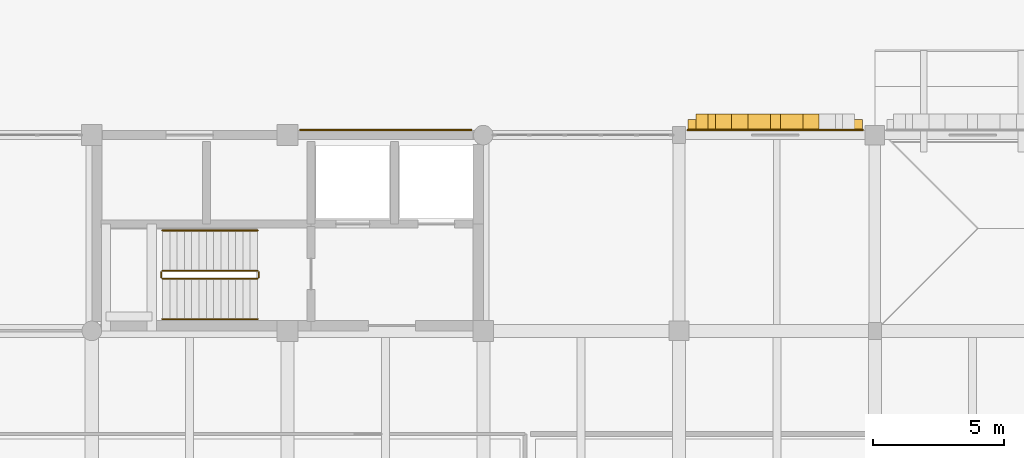
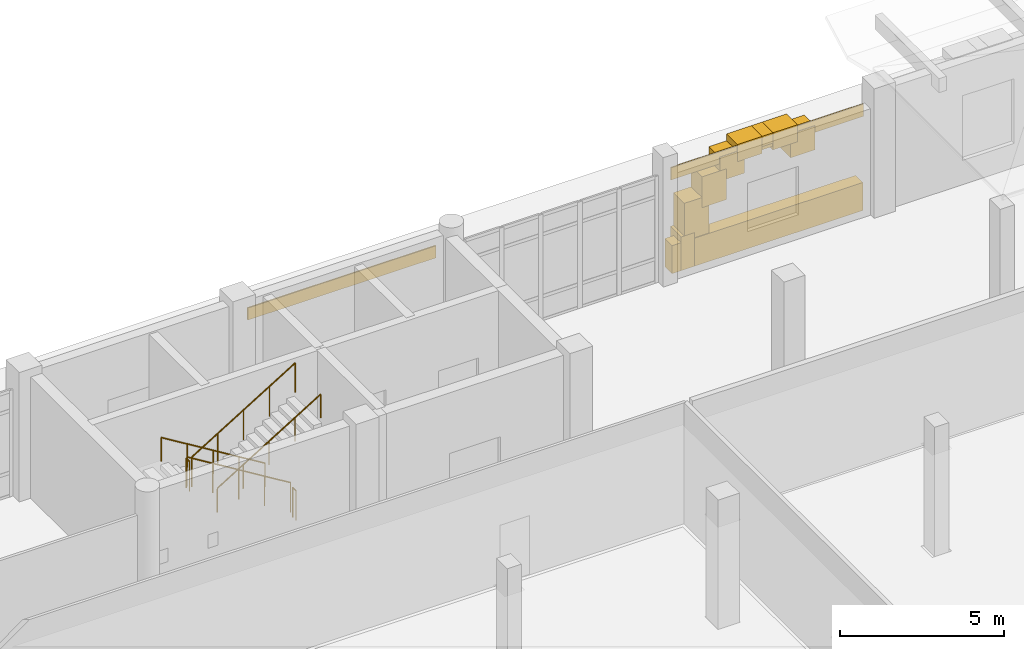
# One storey, part 117 of 125: 11 coverings, 6 railings.
"""IFC4 building model written with IfcOpenShell, lengths in metres."""

import ifcopenshell
import ifcopenshell.guid

model = None  # the IFC model being written
_history = None  # IfcOwnerHistory: only IFC2X3 demands one
_inside = {}  # id of a spatial element -> (the spatial element, [elements in it])
_under = {}  # id of a project, library or spatial element -> (it, [spatial elements below it])
_declared = {}  # id of a project -> (the project, [libraries it declares])
_typed = {}  # id of a type object -> (the type object, [elements of that type])
_made_of = {}  # id of a material, layer set ... -> (it, [elements and type objects made of it])


def new_model(schema):
    """Start an empty IFC model of exactly this schema.

    Asked for "IFC4X3", IfcOpenShell would pick the latest addendum, in which some entities
    have other attributes; the version numbers below select the first issue.
    IFC2X3 requires an IfcOwnerHistory on every rooted entity: one is made here for all.
    """
    global model, _history
    if schema == "IFC4X3":
        model = ifcopenshell.file(schema_version=(4, 3, 0, 0))
    else:
        model = ifcopenshell.file(schema=schema)
    _inside.clear()
    _under.clear()
    _declared.clear()
    _typed.clear()
    _made_of.clear()
    _history = None
    if model.schema == "IFC2X3":
        org = make("IfcOrganization", Name="unknown")
        user = make(
            "IfcPersonAndOrganization",
            ThePerson=make("IfcPerson", FamilyName="unknown"),
            TheOrganization=org,
        )
        app = make(
            "IfcApplication",
            ApplicationDeveloper=org,
            Version="unknown",
            ApplicationFullName="unknown",
            ApplicationIdentifier="unknown",
        )
        _history = make(
            "IfcOwnerHistory",
            OwningUser=user,
            OwningApplication=app,
            ChangeAction="ADDED",
            CreationDate=0,
        )
    return model


def make(cls, **values):
    """One entity of the class cls with the attributes given. An attribute that is None is left unset."""
    return model.create_entity(
        cls, **{name: value for name, value in values.items() if value is not None}
    )


def rooted(cls, **values):
    """An entity with a GlobalId (a new one), such as an element, a storey or a relation."""
    return make(cls, GlobalId=ifcopenshell.guid.new(), OwnerHistory=_history, **values)


def si_unit(unit_type, name, prefix=None):
    """IfcSIUnit, for example si_unit("LENGTHUNIT", "METRE", prefix="MILLI")."""
    return make("IfcSIUnit", UnitType=unit_type, Prefix=prefix, Name=name)


def assignment(units):
    """IfcUnitAssignment: the units of a project."""
    return None if units is None else make("IfcUnitAssignment", Units=units)


def point(xyz):
    """IfcCartesianPoint."""
    return None if xyz is None else make("IfcCartesianPoint", Coordinates=xyz)


def direction(xyz):
    """IfcDirection."""
    return None if xyz is None else make("IfcDirection", DirectionRatios=xyz)


def frame(location, z_axis=None, x_axis=None):
    """IfcAxis2Placement3D, a coordinate frame: its origin and axes. An axis left out is left unset."""
    return make(
        "IfcAxis2Placement3D",
        Location=point(location),
        Axis=direction(z_axis),
        RefDirection=direction(x_axis),
    )


def frame_2d(location, x_axis=None):
    """IfcAxis2Placement2D, a coordinate frame in the plane: its origin and x axis."""
    return make(
        "IfcAxis2Placement2D", Location=point(location), RefDirection=direction(x_axis)
    )


def origin():
    """The frame at (0, 0, 0) with its axes left unset."""
    return frame((0.0, 0.0, 0.0))


def origin_2d():
    """The frame at (0, 0) in the plane with its x axis left unset."""
    return frame_2d((0.0, 0.0))


def place(relative_to, where):
    """IfcLocalPlacement: puts the frame where relative to a parent placement (None: the world)."""
    return make(
        "IfcLocalPlacement", PlacementRelTo=relative_to, RelativePlacement=where
    )


def context(
    kind, dimensions, precision=None, world=None, true_north=None, identifier=None
):
    """IfcGeometricRepresentationContext, for example the 3D "Model" context."""
    return make(
        "IfcGeometricRepresentationContext",
        ContextIdentifier=identifier,
        ContextType=kind,
        CoordinateSpaceDimension=dimensions,
        Precision=precision,
        WorldCoordinateSystem=world,
        TrueNorth=true_north,
    )


def subcontext(parent, identifier, kind, view, scale=None):
    """IfcGeometricRepresentationSubContext, for example "Body" below "Model"."""
    return make(
        "IfcGeometricRepresentationSubContext",
        ContextIdentifier=identifier,
        ContextType=kind,
        ParentContext=parent,
        TargetScale=scale,
        TargetView=view,
    )


def project(units=None, contexts=None):
    """IfcProject with its units and contexts."""
    return rooted(
        "IfcProject",
        Name="project",
        RepresentationContexts=contexts,
        UnitsInContext=assignment(units),
    )


def spatial(cls, under=None, at=None, **own):
    """A site, building, storey or space (cls), placed at a placement, below another one or the project."""
    s = rooted(cls, ObjectPlacement=at, **own)
    if under is not None:
        _under.setdefault(under.id(), (under, []))[1].append(s)
    return s


def profile(cls, at=None, kind="AREA", **sizes):
    """A parametric profile (cls). Its sizes go by their IFC names, for example OverallWidth=200.0."""
    return make(cls, ProfileType=kind, Position=at, **sizes)


def rectangle(**sizes):
    """IfcRectangleProfileDef."""
    return profile("IfcRectangleProfileDef", **sizes)


def circle(**sizes):
    """IfcCircleProfileDef."""
    return profile("IfcCircleProfileDef", **sizes)


def extrude(swept, where, along, depth):
    """IfcExtrudedAreaSolid: the profile swept, set in the frame where, extruded along a direction by depth."""
    return make(
        "IfcExtrudedAreaSolid",
        SweptArea=swept,
        Position=where,
        ExtrudedDirection=direction(along),
        Depth=depth,
    )


def shape(context_of_items, identifier, shape_type, items):
    """IfcShapeRepresentation: the items that make up one representation, for example the "Body"."""
    return make(
        "IfcShapeRepresentation",
        ContextOfItems=context_of_items,
        RepresentationIdentifier=identifier,
        RepresentationType=shape_type,
        Items=items,
    )


def material(Name=None, Category=None):
    """IfcMaterial."""
    return make("IfcMaterial", Name=Name, Category=Category)


def layer(
    of_material, thickness, ventilated=None, Name=None, Category=None, Priority=None
):
    """IfcMaterialLayer: one layer of a wall or slab, of a material (None: an air gap)."""
    return make(
        "IfcMaterialLayer",
        Material=of_material,
        LayerThickness=thickness,
        IsVentilated=ventilated,
        Name=Name,
        Category=Category,
        Priority=Priority,
    )


def layer_set(layers, Name=None):
    """IfcMaterialLayerSet."""
    return make("IfcMaterialLayerSet", MaterialLayers=layers, LayerSetName=Name)


def made_of(thing, what):
    """Note that an element or type object is made of a material, layer set ...; save() writes the relation."""
    if what is not None:
        _made_of.setdefault(what.id(), (what, []))[1].append(thing)
    return thing


def type_object(cls, material=None, **own):
    """A type object (cls), such as IfcWallType, which elements share."""
    return made_of(rooted(cls, **own), material)


def element(
    cls,
    number,
    at=None,
    inside=None,
    cuts=None,
    type_object=None,
    material=None,
    context=None,
    identifier="Body",
    shape_type=None,
    held_by="IfcProductDefinitionShape",
    body=None,
    shapes=None,
    **own,
):
    """One element of the class cls, such as IfcWall. Its Tag is "e" and its number.

    at: its placement. inside: the storey or other place that contains it. cuts: it is an
    opening in that element (IfcRelVoidsElement). A single representation is given by context,
    identifier, shape_type and body (its items); several are given by shapes. held_by: the class
    of the entity that holds the representations. save() writes the other relations.
    """
    e = rooted(cls, Tag="e%d" % number, ObjectPlacement=at, **own)
    if body is not None:
        shapes = [shape(context, identifier, shape_type, body)]
    if shapes is not None:
        e.Representation = make(held_by, Representations=shapes)
    if inside is not None:
        _inside.setdefault(inside.id(), (inside, []))[1].append(e)
    if cuts is not None:
        rooted(
            "IfcRelVoidsElement", RelatingBuildingElement=cuts, RelatedOpeningElement=e
        )
    if type_object is not None:
        _typed.setdefault(type_object.id(), (type_object, []))[1].append(e)
    return made_of(e, material)


def aggregate(whole, parts):
    """IfcRelAggregates: a whole, such as a stair, and the parts it consists of."""
    return rooted("IfcRelAggregates", RelatingObject=whole, RelatedObjects=parts)


def save(model, path):
    """Write the relations noted so far, then the file.

    IfcRelAggregates (storeys below a building ...), IfcRelContainedInSpatialStructure (elements
    in a storey), IfcRelDefinesByType, IfcRelAssociatesMaterial and IfcRelDeclares: one each for
    every whole, place, type object, material and project.
    """
    for whole, parts in _under.values():
        aggregate(whole, parts)
    for where, things in _inside.values():
        rooted(
            "IfcRelContainedInSpatialStructure",
            RelatedElements=things,
            RelatingStructure=where,
        )
    for kind, things in _typed.values():
        rooted("IfcRelDefinesByType", RelatedObjects=things, RelatingType=kind)
    for what, things in _made_of.values():
        rooted("IfcRelAssociatesMaterial", RelatedObjects=things, RelatingMaterial=what)
    for by, libraries in _declared.values():
        rooted("IfcRelDeclares", RelatingContext=by, RelatedDefinitions=libraries)
    model.write(path)


model = new_model("IFC4")

# Units and contexts
model_context = context("Model", 3, precision=1e-05, world=origin(), true_north=direction((0.0, 1.0)))
body_context = subcontext(model_context, "Body", "Model", "MODEL_VIEW")
ifc_project = project(units=[si_unit("LENGTHUNIT", "METRE"), si_unit("AREAUNIT", "SQUARE_METRE"), si_unit("VOLUMEUNIT", "CUBIC_METRE"), si_unit("PLANEANGLEUNIT", "RADIAN"), si_unit("MASSUNIT", "GRAM", prefix="KILO")], contexts=[model_context])

# Site, building, storey
site_placement = place(None, origin())
site = spatial("IfcSite", under=ifc_project, at=site_placement, CompositionType="ELEMENT")
building_placement = place(site_placement, origin())
building = spatial("IfcBuilding", under=site, at=building_placement, Name="Dalvernix Boulevard General Hospital", CompositionType="ELEMENT")
storey_placement = place(building_placement, origin())
storey = spatial("IfcBuildingStorey", under=building, at=storey_placement, Name="L00", CompositionType="ELEMENT", Elevation=0.0)

# Coverings
ifc_material_1 = material(Name="Pressed Catalan clay brick and dressed limestone parabolic archivolt", Category="masonry")
ifc_layer_1 = layer(ifc_material_1, 0.419921875)
ifc_layer_set_1 = layer_set([ifc_layer_1], Name="Pressed Catalan clay brick and dressed limestone parabolic archivolt (COV-ARC-01)")
covering_type_1 = type_object("IfcCoveringType", Name="COV-ARC-01", PredefinedType="CLADDING", material=ifc_layer_set_1)
covering_1_placement = place(storey_placement, frame((120.887451171875, 117.485107421875, 0.0), z_axis=(0.0, 0.0, 1.0), x_axis=(1.0, 0.0, 0.0)))
element("IfcCovering", 1, at=covering_1_placement, inside=storey, type_object=covering_type_1, Name="L00 Catalan parabolic arch impost pier N 16-15-L", PredefinedType="CLADDING", context=body_context, shape_type="SweptSolid", body=[
    extrude(rectangle(XDim=0.4599609375, YDim=0.659912109375, at=origin_2d()), origin(), (0.0, 0.0, 1.0), 1.25),
])
covering_2_placement = place(storey_placement, frame((121.198486328125, 117.485107421875, 1.059814453125), z_axis=(0.0, 0.0, 1.0), x_axis=(1.0, 0.0, 0.0)))
element("IfcCovering", 2, at=covering_2_placement, inside=storey, type_object=covering_type_1, Name="L00 Catalan parabolic archivolt voussoir N 16-15-1", PredefinedType="CLADDING", context=body_context, shape_type="SweptSolid", body=[
    extrude(rectangle(XDim=0.8623046875, YDim=0.659912109375, at=origin_2d()), origin(), (0.0, 0.0, 1.0), 1.3994140625),
])
covering_3_placement = place(storey_placement, frame((121.82080078125, 117.485107421875, 2.07958984375), z_axis=(0.0, 0.0, 1.0), x_axis=(1.0, 0.0, 0.0)))
element("IfcCovering", 3, at=covering_3_placement, inside=storey, type_object=covering_type_1, Name="L00 Catalan parabolic archivolt voussoir N 16-15-2", PredefinedType="CLADDING", context=body_context, shape_type="SweptSolid", body=[
    extrude(rectangle(XDim=0.8623046875, YDim=0.659912109375, at=origin_2d()), origin(), (0.0, 0.0, 1.0), 1.144287109375),
])
covering_4_placement = place(storey_placement, frame((122.443115234375, 117.485107421875, 2.84375), z_axis=(0.0, 0.0, 1.0), x_axis=(1.0, 0.0, 0.0)))
element("IfcCovering", 4, at=covering_4_placement, inside=storey, type_object=covering_type_1, Name="L00 Catalan parabolic archivolt voussoir N 16-15-3", PredefinedType="CLADDING", context=body_context, shape_type="SweptSolid", body=[
    extrude(rectangle(XDim=0.8623046875, YDim=0.659912109375, at=origin_2d()), origin(), (0.0, 0.0, 1.0), 0.8896484375),
])
covering_5_placement = place(storey_placement, frame((123.065185546875, 117.485107421875, 3.353271484375), z_axis=(0.0, 0.0, 1.0), x_axis=(1.0, 0.0, 0.0)))
element("IfcCovering", 5, at=covering_5_placement, inside=storey, type_object=covering_type_1, Name="L00 Catalan parabolic archivolt voussoir N 16-15-4", PredefinedType="CLADDING", context=body_context, shape_type="SweptSolid", body=[
    extrude(rectangle(XDim=0.8623046875, YDim=0.659912109375, at=origin_2d()), origin(), (0.0, 0.0, 1.0), 0.634765625),
])
covering_6_placement = place(storey_placement, frame((123.6875, 117.485107421875, 3.608154296875), z_axis=(0.0, 0.0, 1.0), x_axis=(1.0, 0.0, 0.0)))
element("IfcCovering", 6, at=covering_6_placement, inside=storey, type_object=covering_type_1, Name="L00 Catalan parabolic archivolt voussoir N 16-15-5", PredefinedType="CLADDING", context=body_context, shape_type="SweptSolid", body=[
    extrude(rectangle(XDim=0.8623046875, YDim=0.659912109375, at=origin_2d()), origin(), (0.0, 0.0, 1.0), 0.3798828125),
])
covering_7_placement = place(storey_placement, frame((124.309814453125, 117.485107421875, 3.353271484375), z_axis=(0.0, 0.0, 1.0), x_axis=(1.0, 0.0, 0.0)))
element("IfcCovering", 7, at=covering_7_placement, inside=storey, type_object=covering_type_1, Name="L00 Catalan parabolic archivolt voussoir N 16-15-6", PredefinedType="CLADDING", context=body_context, shape_type="SweptSolid", body=[
    extrude(rectangle(XDim=0.8623046875, YDim=0.659912109375, at=origin_2d()), origin(), (0.0, 0.0, 1.0), 0.634765625),
])
covering_8_placement = place(storey_placement, frame((124.931884765625, 117.485107421875, 2.84375), z_axis=(0.0, 0.0, 1.0), x_axis=(1.0, 0.0, 0.0)))
element("IfcCovering", 8, at=covering_8_placement, inside=storey, type_object=covering_type_1, Name="L00 Catalan parabolic archivolt voussoir N 16-15-7", PredefinedType="CLADDING", context=body_context, shape_type="SweptSolid", body=[
    extrude(rectangle(XDim=0.8623046875, YDim=0.659912109375, at=origin_2d()), origin(), (0.0, 0.0, 1.0), 0.8896484375),
])
ifc_material_2 = material(Name="Polychrome Catalan glazed ceramic spandrel tile panel")
ifc_layer_2 = layer(ifc_material_2, 0.044921875)
ifc_layer_set_2 = layer_set([ifc_layer_2], Name="Polychrome Catalan glazed ceramic spandrel tile panel (COV-CLD-01)")
covering_type_2 = type_object("IfcCoveringType", Name="COV-CLD-01", PredefinedType="CLADDING", material=ifc_layer_set_2)
covering_9_placement = place(storey_placement, frame((108.762451171875, 117.195068359375, 3.47509765625), z_axis=(0.0, 0.0, 1.0), x_axis=(1.0, 0.0, 0.0)))
element("IfcCovering", 9, at=covering_9_placement, inside=storey, type_object=covering_type_2, Name="L00 polychrome ceramic spandrel N 14-15", PredefinedType="CLADDING", context=body_context, shape_type="SweptSolid", body=[
    extrude(rectangle(XDim=6.60498046875, YDim=0.044921875, at=origin_2d()), origin(), (0.0, 0.0, 1.0), 0.449951171875),
])
covering_10_placement = place(storey_placement, frame((123.6875, 117.195068359375, 3.47509765625), z_axis=(0.0, 0.0, 1.0), x_axis=(1.0, 0.0, 0.0)))
element("IfcCovering", 10, at=covering_10_placement, inside=storey, type_object=covering_type_2, Name="L00 polychrome ceramic spandrel N 16-15", PredefinedType="CLADDING", context=body_context, shape_type="SweptSolid", body=[
    extrude(rectangle(XDim=6.7548828125, YDim=0.044921875, at=origin_2d()), origin(), (0.0, 0.0, 1.0), 0.449951171875),
])
ifc_material_3 = material(Name="Dressed ochre limestone classical plinth, stringcourse and corbelled cornice", Category="masonry")
ifc_layer_3 = layer(ifc_material_3, 0.449951171875)
ifc_layer_set_3 = layer_set([ifc_layer_3], Name="Dressed ochre limestone classical plinth, stringcourse and corbelled cornice (COV-CRN-01)")
covering_type_3 = type_object("IfcCoveringType", Name="COV-CRN-01", PredefinedType="CLADDING", material=ifc_layer_set_3)
covering_11_placement = place(storey_placement, frame((123.6875, 117.375, 0.0), z_axis=(0.0, 0.0, 1.0), x_axis=(1.0, 0.0, 0.0)))
element("IfcCovering", 11, at=covering_11_placement, inside=storey, type_object=covering_type_3, Name="L00 rusticated limestone classical plinth N 16-15", PredefinedType="CLADDING", context=body_context, shape_type="SweptSolid", body=[
    extrude(rectangle(XDim=6.695068359375, YDim=0.43994140625, at=origin_2d()), origin(), (0.0, 0.0, 1.0), 1.0400390625),
])

# Railings
ifc_material_4 = material(Name="Brushed stainless steel balustrade", Category="steel")
railing_type_1 = type_object("IfcRailingType", Name="RL-GR-INT1", PredefinedType="BALUSTRADE", material=ifc_material_4)
railing_1_placement = place(storey_placement, frame((103.85009765625, 111.800048828125, 0.17138671875)))
element("IfcRailing", 12, at=railing_1_placement, inside=storey, type_object=railing_type_1, Name="L00 ST-04 stair guard 1", PredefinedType="BALUSTRADE", context=body_context, shape_type="SweptSolid", body=[
    extrude(circle(Radius=0.02392578125, at=origin_2d()), frame((0.0, 0.0, 1.09619140625), z_axis=(-0.852865859571, 0.0, 0.52213008492), x_axis=(0.0, -1.0, 0.0)), (0.0, 0.0, 1.0), 4.26806640625),
    extrude(circle(Radius=0.02099609375, at=origin_2d()), origin(), (0.0, 0.0, 1.0), 1.072021484375),
    extrude(circle(Radius=0.02099609375, at=origin_2d()), frame((-0.91015625, 0.0, 0.55712890625)), (0.0, 0.0, 1.0), 1.072021484375),
    extrude(circle(Radius=0.02099609375, at=origin_2d()), frame((-1.820068359375, 0.0, 1.1142578125)), (0.0, 0.0, 1.0), 1.072021484375),
    extrude(circle(Radius=0.02099609375, at=origin_2d()), frame((-2.72998046875, 0.0, 1.67138671875)), (0.0, 0.0, 1.0), 1.072021484375),
    extrude(circle(Radius=0.02099609375, at=origin_2d()), frame((-3.64013671875, 0.0, 2.228515625)), (0.0, 0.0, 1.0), 1.072021484375),
])
railing_2_placement = place(storey_placement, frame((100.159912109375, 111.75, 2.39990234375)))
element("IfcRailing", 13, at=railing_2_placement, inside=storey, type_object=railing_type_1, Name="L00 ST-04 stair guard 2", PredefinedType="BALUSTRADE", context=body_context, shape_type="SweptSolid", body=[
    extrude(circle(Radius=0.02392578125, at=origin_2d()), frame((0.0, 0.0, 1.09619140625), z_axis=(0.0, -1.0, 0.0), x_axis=(1.0, 0.0, 0.0)), (0.0, 0.0, 1.0), 0.199951171875),
    extrude(circle(Radius=0.02099609375, at=origin_2d()), origin(), (0.0, 0.0, 1.0), 1.072021484375),
    extrude(circle(Radius=0.02099609375, at=origin_2d()), frame((0.0, -0.199951171875, 0.0)), (0.0, 0.0, 1.0), 1.072021484375),
])
railing_3_placement = place(storey_placement, frame((100.2099609375, 111.5, 2.571533203125)))
element("IfcRailing", 14, at=railing_3_placement, inside=storey, type_object=railing_type_1, Name="L00 ST-04 stair guard 3", PredefinedType="BALUSTRADE", context=body_context, shape_type="SweptSolid", body=[
    extrude(circle(Radius=0.02392578125, at=origin_2d()), frame((0.0, 0.0, 1.09619140625), z_axis=(0.852865859571, 0.0, 0.52213008492), x_axis=(0.0, 1.0, 0.0)), (0.0, 0.0, 1.0), 4.26806640625),
    extrude(circle(Radius=0.02099609375, at=origin_2d()), origin(), (0.0, 0.0, 1.0), 1.072021484375),
    extrude(circle(Radius=0.02099609375, at=origin_2d()), frame((0.91015625, 0.0, 0.55712890625)), (0.0, 0.0, 1.0), 1.072021484375),
    extrude(circle(Radius=0.02099609375, at=origin_2d()), frame((1.820068359375, 0.0, 1.1142578125)), (0.0, 0.0, 1.0), 1.072021484375),
    extrude(circle(Radius=0.02099609375, at=origin_2d()), frame((2.72998046875, 0.0, 1.67138671875)), (0.0, 0.0, 1.0), 1.072021484375),
    extrude(circle(Radius=0.02099609375, at=origin_2d()), frame((3.64013671875, 0.0, 2.228515625)), (0.0, 0.0, 1.0), 1.072021484375),
])
railing_4_placement = place(storey_placement, frame((103.89990234375, 111.75, 0.0)))
element("IfcRailing", 15, at=railing_4_placement, inside=storey, type_object=railing_type_1, Name="L00 ST-04 stair guard 4", PredefinedType="BALUSTRADE", context=body_context, shape_type="SweptSolid", body=[
    extrude(circle(Radius=0.02392578125, at=origin_2d()), frame((0.0, 0.0, 1.09619140625), z_axis=(0.0, -1.0, 0.0), x_axis=(1.0, 0.0, 0.0)), (0.0, 0.0, 1.0), 0.199951171875),
    extrude(circle(Radius=0.02099609375, at=origin_2d()), origin(), (0.0, 0.0, 1.0), 1.072021484375),
    extrude(circle(Radius=0.02099609375, at=origin_2d()), frame((0.0, -0.199951171875, 0.0)), (0.0, 0.0, 1.0), 1.072021484375),
])
ifc_material_5 = material(Name="Brushed stainless steel wall handrail", Category="steel")
railing_type_2 = type_object("IfcRailingType", Name="RL-HR-INT1", PredefinedType="HANDRAIL", material=ifc_material_5)
railing_5_placement = place(storey_placement, frame((103.85009765625, 113.35009765625, 0.17138671875)))
element("IfcRailing", 16, at=railing_5_placement, inside=storey, type_object=railing_type_2, Name="L00 ST-04 stair handrail 1", PredefinedType="HANDRAIL", context=body_context, shape_type="SweptSolid", body=[
    extrude(circle(Radius=0.02392578125, at=origin_2d()), frame((0.0, 0.0, 0.8759765625), z_axis=(-0.852865859571, 0.0, 0.52213008492), x_axis=(0.0, -1.0, 0.0)), (0.0, 0.0, 1.0), 4.26806640625),
    extrude(circle(Radius=0.02099609375, at=origin_2d()), origin(), (0.0, 0.0, 1.0), 0.851806640625),
    extrude(circle(Radius=0.02099609375, at=origin_2d()), frame((-0.91015625, 0.0, 0.55712890625)), (0.0, 0.0, 1.0), 0.851806640625),
    extrude(circle(Radius=0.02099609375, at=origin_2d()), frame((-1.820068359375, 0.0, 1.1142578125)), (0.0, 0.0, 1.0), 0.851806640625),
    extrude(circle(Radius=0.02099609375, at=origin_2d()), frame((-2.72998046875, 0.0, 1.67138671875)), (0.0, 0.0, 1.0), 0.851806640625),
    extrude(circle(Radius=0.02099609375, at=origin_2d()), frame((-3.64013671875, 0.0, 2.228515625)), (0.0, 0.0, 1.0), 0.851806640625),
])
railing_6_placement = place(storey_placement, frame((100.2099609375, 109.949951171875, 2.571533203125)))
element("IfcRailing", 17, at=railing_6_placement, inside=storey, type_object=railing_type_2, Name="L00 ST-04 stair handrail 2", PredefinedType="HANDRAIL", context=body_context, shape_type="SweptSolid", body=[
    extrude(circle(Radius=0.02392578125, at=origin_2d()), frame((0.0, 0.0, 0.8759765625), z_axis=(0.852865859571, 0.0, 0.52213008492), x_axis=(0.0, 1.0, 0.0)), (0.0, 0.0, 1.0), 4.26806640625),
    extrude(circle(Radius=0.02099609375, at=origin_2d()), origin(), (0.0, 0.0, 1.0), 0.851806640625),
    extrude(circle(Radius=0.02099609375, at=origin_2d()), frame((0.91015625, 0.0, 0.55712890625)), (0.0, 0.0, 1.0), 0.851806640625),
    extrude(circle(Radius=0.02099609375, at=origin_2d()), frame((1.820068359375, 0.0, 1.1142578125)), (0.0, 0.0, 1.0), 0.851806640625),
    extrude(circle(Radius=0.02099609375, at=origin_2d()), frame((2.72998046875, 0.0, 1.67138671875)), (0.0, 0.0, 1.0), 0.851806640625),
    extrude(circle(Radius=0.02099609375, at=origin_2d()), frame((3.64013671875, 0.0, 2.228515625)), (0.0, 0.0, 1.0), 0.851806640625),
])

save(model, "model.ifc")
